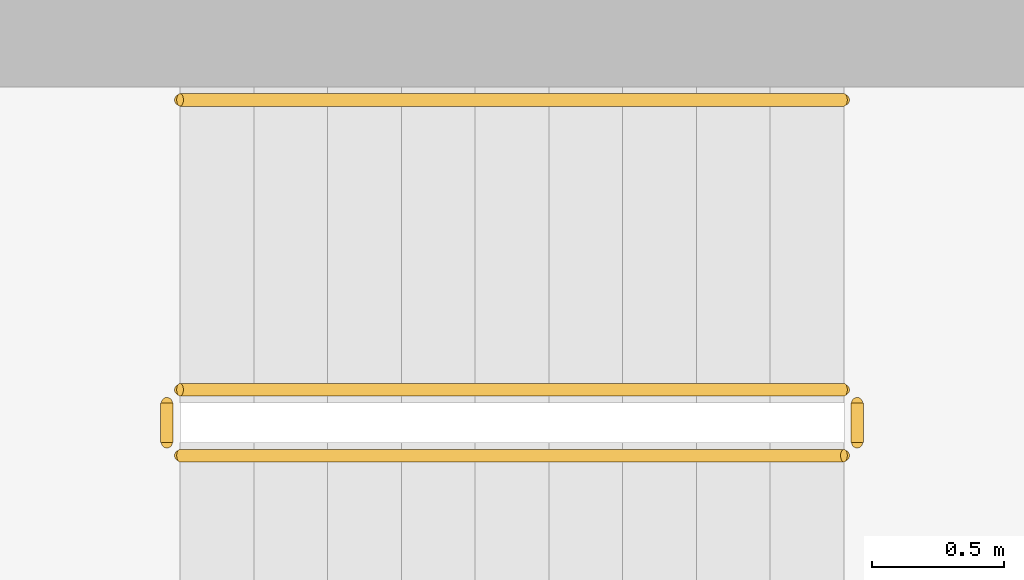
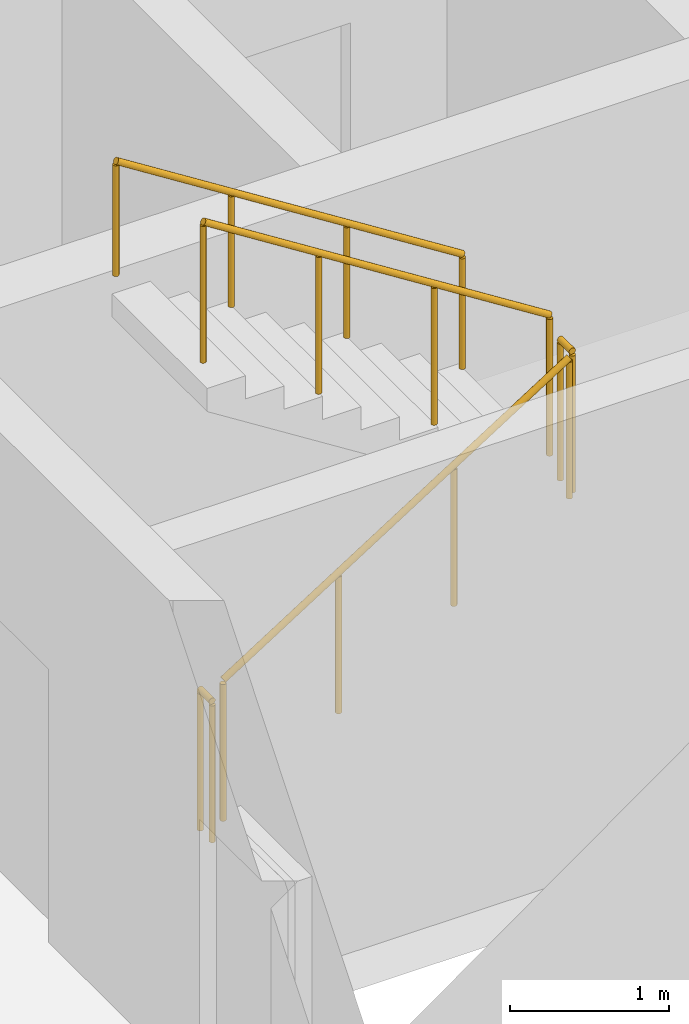
# One storey, part 15 of 17: 5 railings.
"""IFC4 building model written with IfcOpenShell, lengths in metres."""

from ifc_helpers import new_model, si_unit, direction, frame, origin, origin_2d, place, context, subcontext, project, spatial, circle, extrude, material, type_object, element, save


model = new_model("IFC4")

# Units and contexts
model_context = context("Model", 3, precision=1e-05, world=origin(), true_north=direction((0.0, 1.0)))
body_context = subcontext(model_context, "Body", "Model", "MODEL_VIEW")
ifc_project = project(units=[si_unit("LENGTHUNIT", "METRE"), si_unit("AREAUNIT", "SQUARE_METRE"), si_unit("VOLUMEUNIT", "CUBIC_METRE"), si_unit("PLANEANGLEUNIT", "RADIAN"), si_unit("MASSUNIT", "GRAM", prefix="KILO")], contexts=[model_context])

# Site, building, storey
site_placement = place(None, origin())
site = spatial("IfcSite", under=ifc_project, at=site_placement, CompositionType="ELEMENT")
building_placement = place(site_placement, origin())
building = spatial("IfcBuilding", under=site, at=building_placement, Name="Ostrand Prow Hotel Tower", CompositionType="ELEMENT")
storey_placement = place(building_placement, frame((0.0, 0.0, 196.800048828125)))
storey = spatial("IfcBuildingStorey", under=building, at=storey_placement, Name="L49", CompositionType="ELEMENT", Elevation=196.800048828125)

# Railings
ifc_material_1 = material(Name="Painted steel", Category="steel")
railing_type_1 = type_object("IfcRailingType", Name="Stair guard 1100", PredefinedType="GUARDRAIL", material=ifc_material_1)
railing_1_placement = place(storey_placement, frame((57.199951171875, -11.75, 0.177490234375)))
element("IfcRailing", 1, at=railing_1_placement, inside=storey, type_object=railing_type_1, Name="L49 ST2C stair guard 1", PredefinedType="GUARDRAIL", context=body_context, shape_type="SweptSolid", body=[
    extrude(circle(Radius=0.02392578125, at=origin_2d()), frame((0.0, 0.0, 1.076171875), z_axis=(0.84460694969, 0.0, 0.535386869969), x_axis=(0.0, 1.0, 0.0)), (0.0, 0.0, 1.0), 2.983642578125),
    extrude(circle(Radius=0.02099609375, at=origin_2d()), origin(), (0.0, 0.0, 1.0), 1.052001953125),
    extrude(circle(Radius=0.02099609375, at=origin_2d()), frame((0.840087890625, 0.0, 0.532470703125)), (0.0, 0.0, 1.0), 1.052001953125),
    extrude(circle(Radius=0.02099609375, at=origin_2d()), frame((1.679931640625, 0.0, 1.06494140625)), (0.0, 0.0, 1.0), 1.052001953125),
    extrude(circle(Radius=0.02099609375, at=origin_2d()), frame((2.52001953125, 0.0, 1.597412109375)), (0.0, 0.0, 1.0), 1.052001953125),
])
railing_2_placement = place(storey_placement, frame((59.77001953125, -11.699951171875, 1.77490234375)))
element("IfcRailing", 2, at=railing_2_placement, inside=storey, type_object=railing_type_1, Name="L49 ST2C stair guard 2", PredefinedType="GUARDRAIL", context=body_context, shape_type="SweptSolid", body=[
    extrude(circle(Radius=0.02392578125, at=origin_2d()), frame((0.0, 0.0, 1.076171875), z_axis=(0.0, 1.0, 0.0), x_axis=(-1.0, 0.0, 0.0)), (0.0, 0.0, 1.0), 0.14990234375),
    extrude(circle(Radius=0.02099609375, at=origin_2d()), origin(), (0.0, 0.0, 1.0), 1.052001953125),
    extrude(circle(Radius=0.02099609375, at=origin_2d()), frame((0.0, 0.14990234375, 0.0)), (0.0, 0.0, 1.0), 1.052001953125),
])
railing_3_placement = place(storey_placement, frame((59.719970703125, -11.5, 1.952392578125)))
element("IfcRailing", 3, at=railing_3_placement, inside=storey, type_object=railing_type_1, Name="L49 ST2C stair guard 3", PredefinedType="GUARDRAIL", context=body_context, shape_type="SweptSolid", body=[
    extrude(circle(Radius=0.02392578125, at=origin_2d()), frame((0.0, 0.0, 1.076171875), z_axis=(-0.84456994832, 0.0, 0.535445237532), x_axis=(0.0, -1.0, 0.0)), (0.0, 0.0, 1.0), 2.98388671875),
    extrude(circle(Radius=0.02099609375, at=origin_2d()), origin(), (0.0, 0.0, 1.0), 1.052001953125),
    extrude(circle(Radius=0.02099609375, at=origin_2d()), frame((-0.840087890625, 0.0, 0.532470703125)), (0.0, 0.0, 1.0), 1.052001953125),
    extrude(circle(Radius=0.02099609375, at=origin_2d()), frame((-1.679931640625, 0.0, 1.065185546875)), (0.0, 0.0, 1.0), 1.052001953125),
    extrude(circle(Radius=0.02099609375, at=origin_2d()), frame((-2.52001953125, 0.0, 1.59765625)), (0.0, 0.0, 1.0), 1.052001953125),
])
railing_4_placement = place(storey_placement, frame((57.14990234375, -11.699951171875, 0.0)))
element("IfcRailing", 4, at=railing_4_placement, inside=storey, type_object=railing_type_1, Name="L49 ST2C stair guard 4", PredefinedType="GUARDRAIL", context=body_context, shape_type="SweptSolid", body=[
    extrude(circle(Radius=0.02392578125, at=origin_2d()), frame((0.0, 0.0, 1.076171875), z_axis=(0.0, 1.0, 0.0), x_axis=(-1.0, 0.0, 0.0)), (0.0, 0.0, 1.0), 0.14990234375),
    extrude(circle(Radius=0.02099609375, at=origin_2d()), origin(), (0.0, 0.0, 1.0), 1.052001953125),
    extrude(circle(Radius=0.02099609375, at=origin_2d()), frame((0.0, 0.14990234375, 0.0)), (0.0, 0.0, 1.0), 1.052001953125),
])
ifc_material_2 = material(Name="Stainless steel", Category="steel")
railing_type_2 = type_object("IfcRailingType", Name="Stair handrail 900", PredefinedType="HANDRAIL", material=ifc_material_2)
railing_5_placement = place(storey_placement, frame((59.719970703125, -10.39990234375, 1.952392578125)))
element("IfcRailing", 5, at=railing_5_placement, inside=storey, type_object=railing_type_2, Name="L49 ST2C stair handrail 2", PredefinedType="HANDRAIL", context=body_context, shape_type="SweptSolid", body=[
    extrude(circle(Radius=0.02392578125, at=origin_2d()), frame((0.0, 0.0, 0.8759765625), z_axis=(-0.84456994832, 0.0, 0.535445237532), x_axis=(0.0, -1.0, 0.0)), (0.0, 0.0, 1.0), 2.98388671875),
    extrude(circle(Radius=0.02099609375, at=origin_2d()), origin(), (0.0, 0.0, 1.0), 0.851806640625),
    extrude(circle(Radius=0.02099609375, at=origin_2d()), frame((-0.840087890625, 0.0, 0.532470703125)), (0.0, 0.0, 1.0), 0.851806640625),
    extrude(circle(Radius=0.02099609375, at=origin_2d()), frame((-1.679931640625, 0.0, 1.065185546875)), (0.0, 0.0, 1.0), 0.851806640625),
    extrude(circle(Radius=0.02099609375, at=origin_2d()), frame((-2.52001953125, 0.0, 1.59765625)), (0.0, 0.0, 1.0), 0.851806640625),
])

save(model, "model.ifc")
